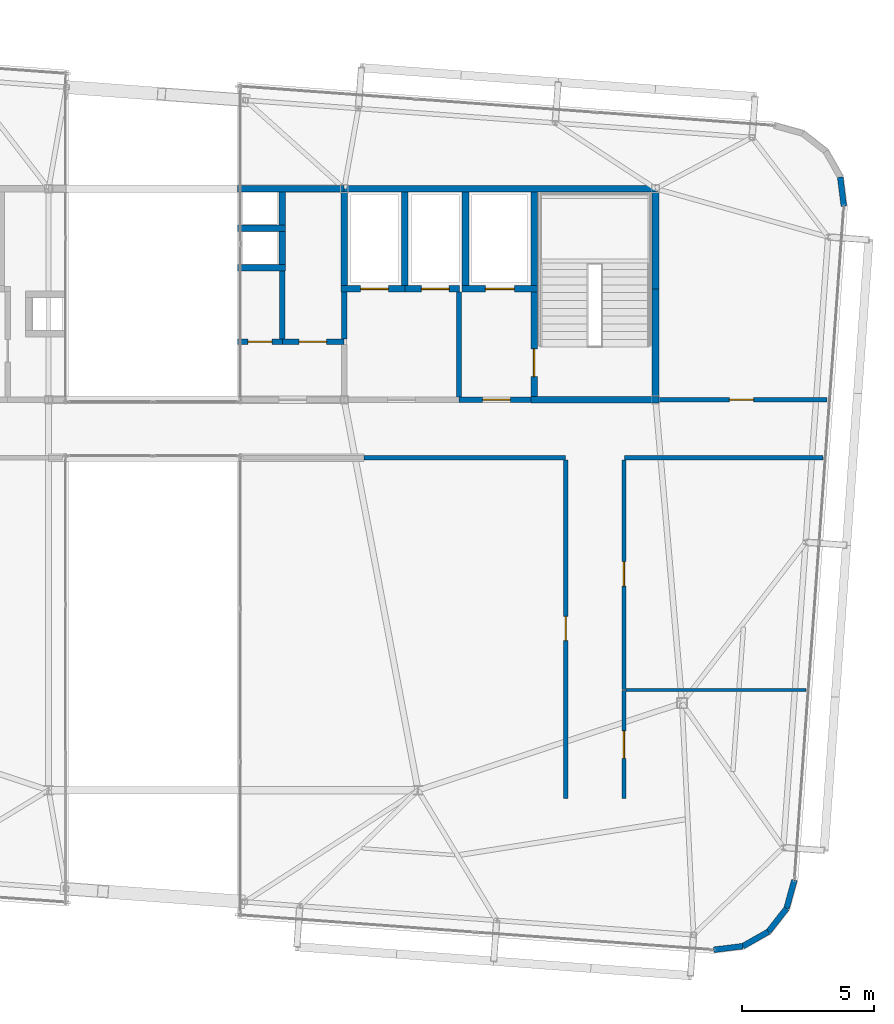
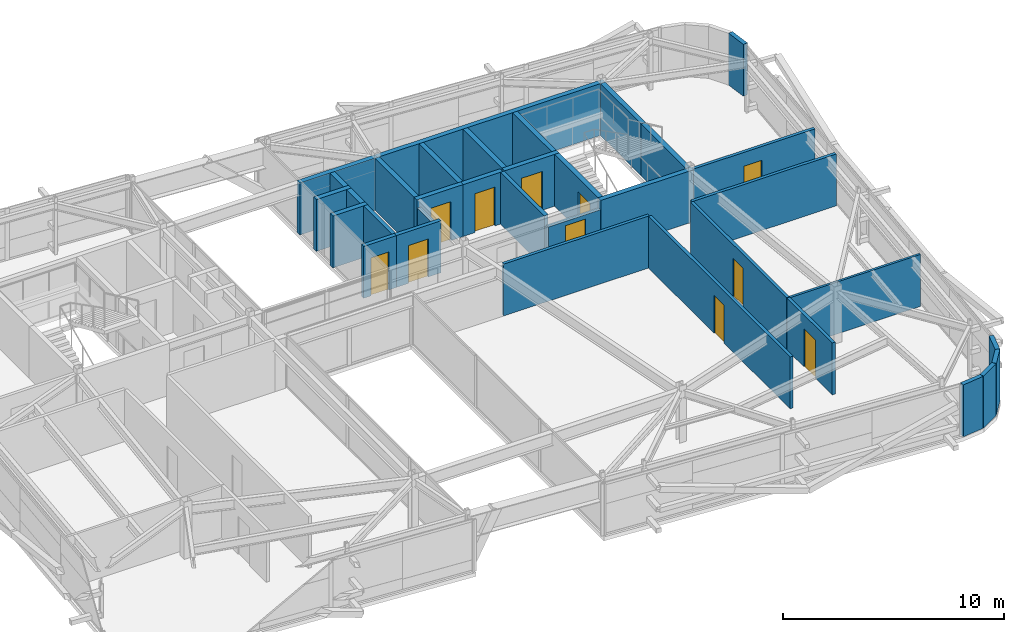
# One storey, part 37 of 40: 35 walls, 11 doors, 11 openings.
"""IFC4 building model written with IfcOpenShell, lengths in metres."""

from ifc_helpers import new_model, si_unit, direction, frame, frame_2d, origin, place, context, subcontext, project, spatial, rectangle, extrude, source, transform, mapped, material, layer, layer_set, type_object, element, fill, save


model = new_model("IFC4")

# Units and contexts
model_context = context("Model", 3, precision=1e-05, world=origin(), true_north=direction((0.0, 1.0)))
body_context = subcontext(model_context, "Body", "Model", "MODEL_VIEW")
ifc_project = project(units=[si_unit("LENGTHUNIT", "METRE"), si_unit("AREAUNIT", "SQUARE_METRE"), si_unit("VOLUMEUNIT", "CUBIC_METRE"), si_unit("PLANEANGLEUNIT", "RADIAN"), si_unit("MASSUNIT", "GRAM", prefix="KILO")], contexts=[model_context])

# Site, building, storey
site_placement = place(None, origin())
site = spatial("IfcSite", under=ifc_project, at=site_placement, CompositionType="ELEMENT")
building_placement = place(site_placement, origin())
building = spatial("IfcBuilding", under=site, at=building_placement, Name="Taldren Reach Tower", CompositionType="ELEMENT")
storey_placement = place(building_placement, frame((0.0, 0.0, 233.449951171875)))
storey = spatial("IfcBuildingStorey", under=building, at=storey_placement, Name="L71", CompositionType="ELEMENT", Elevation=233.449951171875)

# Walls
ifc_material_1 = material(Name="Pale Champagne Anodised Aluminium Cladding", Category="aluminium")
ifc_layer_1 = layer(ifc_material_1, 0.04, Name="Pale Champagne Anodised Aluminium Cladding", Category="aluminium")
ifc_material_2 = material(Name="Mineral Wool Acoustic Insulation", Category="insulation")
ifc_layer_2 = layer(ifc_material_2, 0.06, Name="Mineral Wool Acoustic Insulation", Category="insulation")
ifc_material_3 = material(Name="Steel Gr 350 (C350L0)", Category="steel")
ifc_layer_3 = layer(ifc_material_3, 0.12, Name="Steel Gr 350 (C350L0)", Category="steel")
ifc_layer_set_1 = layer_set([ifc_layer_1, ifc_layer_2, ifc_layer_3], Name="Pale Champagne Aluminium Cladding and Steel Gr 350 Stud Framing")
wall_type_1 = type_object("IfcWallType", Name="EW-CRN-220", PredefinedType="SOLIDWALL", material=ifc_layer_set_1)
shared_shape_1 = source(origin(), body_context, "Body", "SweptSolid", [
    extrude(rectangle(XDim=1.115966796875, YDim=0.219970703125, at=frame_2d((0.55810546875, 0.0))), origin(), (0.0, 0.0, 1.0), 2.8701171875),
])
for number, where, z_axis, x_axis, name in (
    (1, (53.20068359375, 3.15380859375, 0.0), (0.0, 0.0, 1.0), (0.992438604032, 0.122742076028, 0.0), "Rounded-corner pale-metal facade wall L71-SE1"),
    (2, (55.279052734375, 3.84130859375, 0.0), (0.0, 0.0, 1.0), (0.615015475096, 0.788515038152, 0.0), "Rounded-corner pale-metal facade wall L71-SE3"),
    (3, (55.96533203125, 4.72119140625, 0.0), (0.0, 0.0, 1.0), (0.26624444942, 0.963905541613, 0.0), "Rounded-corner pale-metal facade wall L71-SE4"),
    (4, (58.137451171875, 31.328125, 0.0), (0.0, 0.0, 1.0), (-0.122742076028, 0.992438604032, 0.0), "Rounded-corner pale-metal facade wall L71-NE1"),
):
    element("IfcWall", number, at=place(storey_placement, frame(where, z_axis=z_axis, x_axis=x_axis)), inside=storey, type_object=wall_type_1, Name=name, PredefinedType="SOLIDWALL", context=body_context, shape_type="MappedRepresentation", body=[
        mapped(shared_shape_1, transform((0.0, 0.0, 0.0), scale=1.0)),
    ])
shared_shape_2 = source(origin(), body_context, "Body", "SweptSolid", [
    extrude(rectangle(XDim=1.1162109375, YDim=0.219970703125, at=frame_2d((0.55810546875, 0.0))), origin(), (0.0, 0.0, 1.0), 2.8701171875),
])
wall_1_placement = place(storey_placement, frame((54.30810546875, 3.290771484375, 0.0), z_axis=(0.0, 0.0, 1.0), x_axis=(0.869893934693, 0.49323882895, 0.0)))
element("IfcWall", 5, at=wall_1_placement, inside=storey, type_object=wall_type_1, Name="Rounded-corner pale-metal facade wall L71-SE2", PredefinedType="SOLIDWALL", context=body_context, shape_type="MappedRepresentation", body=[
    mapped(shared_shape_2, transform((0.0, 0.0, 0.0), scale=1.0)),
])
ifc_material_4 = material(Name="Concrete S65 (65 MPa)", Category="concrete")
ifc_layer_4 = layer(ifc_material_4, 0.25)
ifc_layer_set_2 = layer_set([ifc_layer_4], Name="Concrete S65 (65 MPa)")
wall_type_2 = type_object("IfcWallType", Name="IW-CORE-250", PredefinedType="SHEAR", material=ifc_layer_set_2)
shared_shape_3 = source(origin(), body_context, "Body", "SweptSolid", [
    extrude(rectangle(XDim=4.050048828125, YDim=0.25, at=frame_2d((2.02490234375, 0.0))), origin(), (0.0, 0.0, 1.0), 2.8701171875),
])
wall_2_placement = place(storey_placement, frame((35.14990234375, 32.0, 0.0), z_axis=(0.0, 0.0, 1.0), x_axis=(1.0, 0.0, 0.0)))
element("IfcWall", 6, at=wall_2_placement, inside=storey, type_object=wall_type_2, Name="Rear Core Shear Wall W-CORE-L71-NORTH3", PredefinedType="SHEAR", context=body_context, shape_type="MappedRepresentation", body=[
    mapped(shared_shape_3, transform((0.0, 0.0, 0.0), scale=1.0)),
])
shared_shape_4 = source(origin(), body_context, "Body", "SweptSolid", [
    extrude(rectangle(XDim=11.925048828125, YDim=0.25, at=frame_2d((5.96240234375, 0.0))), origin(), (0.0, 0.0, 1.0), 2.8701171875),
])
wall_3_placement = place(storey_placement, frame((39.199951171875, 32.0, 0.0), z_axis=(0.0, 0.0, 1.0), x_axis=(1.0, 0.0, 0.0)))
element("IfcWall", 7, at=wall_3_placement, inside=storey, type_object=wall_type_2, Name="Rear Core Shear Wall W-CORE-L71-NORTH4", PredefinedType="SHEAR", context=body_context, shape_type="MappedRepresentation", body=[
    mapped(shared_shape_4, transform((0.0, 0.0, 0.0), scale=1.0)),
])
shared_shape_5 = source(origin(), body_context, "Body", "SweptSolid", [
    extrude(rectangle(XDim=4.074951171875, YDim=0.25, at=frame_2d((2.03759765625, 0.0))), origin(), (0.0, 0.0, 1.0), 2.8701171875),
])
wall_4_placement = place(storey_placement, frame((51.0, 24.125, 0.0), z_axis=(0.0, 0.0, 1.0), x_axis=(0.0, 1.0, 0.0)))
element("IfcWall", 8, at=wall_4_placement, inside=storey, type_object=wall_type_2, Name="Rear Core Shear Wall W-CORE-L71-EAST1", PredefinedType="SHEAR", context=body_context, shape_type="MappedRepresentation", body=[
    mapped(shared_shape_5, transform((0.0, 0.0, 0.0), scale=1.0)),
])
shared_shape_6 = source(origin(), body_context, "Body", "SweptSolid", [
    extrude(rectangle(XDim=3.675048828125, YDim=0.25, at=frame_2d((1.83740234375, 0.0))), origin(), (0.0, 0.0, 1.0), 2.8701171875),
])
wall_5_placement = place(storey_placement, frame((51.0, 28.199951171875, 0.0), z_axis=(0.0, 0.0, 1.0), x_axis=(0.0, 1.0, 0.0)))
element("IfcWall", 9, at=wall_5_placement, inside=storey, type_object=wall_type_2, Name="Rear Core Shear Wall W-CORE-L71-EAST2", PredefinedType="SHEAR", context=body_context, shape_type="MappedRepresentation", body=[
    mapped(shared_shape_6, transform((0.0, 0.0, 0.0), scale=1.0)),
])
shared_shape_7 = source(origin(), body_context, "Body", "SweptSolid", [
    extrude(rectangle(XDim=3.550048828125, YDim=0.25, at=frame_2d((1.77490234375, 0.0))), origin(), (0.0, 0.0, 1.0), 2.8701171875),
])
for number, where, z_axis, x_axis, name in (
    (10, (46.39990234375, 31.875, 0.0), (0.0, 0.0, 1.0), (0.0, -1.0, 0.0), "Rear Core Shear Wall W-INT-L71-008"),
    (11, (43.800048828125, 31.875, 0.0), (0.0, 0.0, 1.0), (0.0, -1.0, 0.0), "Rear Core Shear Wall W-INT-L71-012"),
    (12, (41.5, 28.324951171875, 0.0), (0.0, 0.0, 1.0), (0.0, 1.0, 0.0), "Rear Core Shear Wall W-INT-L71-022"),
    (13, (39.199951171875, 31.875, 0.0), (0.0, 0.0, 1.0), (0.0, -1.0, 0.0), "Rear Core Shear Wall W-INT-L71-024"),
):
    element("IfcWall", number, at=place(storey_placement, frame(where, z_axis=z_axis, x_axis=x_axis)), inside=storey, type_object=wall_type_2, Name=name, PredefinedType="SHEAR", context=body_context, shape_type="MappedRepresentation", body=[
        mapped(shared_shape_7, transform((0.0, 0.0, 0.0), scale=1.0)),
    ])

# Wall, opening, door
shared_shape_8 = source(origin(), body_context, "Body", "SweptSolid", [
    extrude(rectangle(XDim=3.949951171875, YDim=0.25, at=frame_2d((1.97509765625, 0.0))), origin(), (0.0, 0.0, 1.0), 2.8701171875),
])
wall_6_placement = place(storey_placement, frame((46.39990234375, 28.074951171875, 0.0), z_axis=(0.0, 0.0, 1.0), x_axis=(0.0, -1.0, 0.0)))
wall_6 = element("IfcWall", 14, at=wall_6_placement, inside=storey, type_object=wall_type_2, Name="Rear Core Shear Wall W-INT-L71-009", PredefinedType="SHEAR", context=body_context, shape_type="MappedRepresentation", body=[
    mapped(shared_shape_8, transform((0.0, 0.0, 0.0), scale=1.0)),
])
shared_shape_9 = source(origin(), body_context, "Body", "SweptSolid", [
    extrude(rectangle(XDim=1.050048828125, YDim=2.10009765625, at=frame_2d((0.52490234375, 1.050048828125))), frame((0.0, 0.135009765625, 0.0), z_axis=(0.0, -1.0, 0.0), x_axis=(1.0, 0.0, 0.0)), (0.0, 0.0, 1.0), 0.27001953125),
])
opening_1_placement = place(wall_6_placement, frame((2.14990234375, 0.0, 0.0)))
opening_1 = element("IfcOpeningElement", 15, at=opening_1_placement, cuts=wall_6, Name="Opening DF-105", PredefinedType="OPENING", context=body_context, shape_type="MappedRepresentation", body=[
    mapped(shared_shape_9, transform((0.0, 0.0, 0.0), scale=1.0)),
])
ifc_material_5 = material(Name="Fire-Rated Care and Stair Exit Door")
door_type_1 = type_object("IfcDoorType", Name="ID-FIRE-105", OperationType="NOTDEFINED", PredefinedType="DOOR", material=ifc_material_5)
shared_shape_10 = source(origin(), body_context, "Body", "SweptSolid", [
    extrude(rectangle(XDim=1.050048828125, YDim=2.10009765625, at=frame_2d((0.52490234375, 1.050048828125))), frame((0.0, 0.02490234375, 0.0), z_axis=(0.0, -1.0, 0.0), x_axis=(1.0, 0.0, 0.0)), (0.0, 0.0, 1.0), 0.050048828125),
])
door_1_placement = place(opening_1_placement, origin())
door_1 = element("IfcDoor", 16, at=door_1_placement, inside=storey, type_object=door_type_1, Name="Fire Exit Stair Door DR-L71-003", OperationType="SINGLE_SWING_RIGHT", OverallHeight=2.10009765625, OverallWidth=1.050048828125, PredefinedType="DOOR", context=body_context, shape_type="MappedRepresentation", body=[
    mapped(shared_shape_10, transform((0.0, 0.0, 0.0), scale=1.0)),
])
fill(opening_1, door_1)

# Wall
shared_shape_11 = source(origin(), body_context, "Body", "SweptSolid", [
    extrude(rectangle(XDim=4.85009765625, YDim=0.25, at=frame_2d((2.425048828125, 0.0))), origin(), (0.0, 0.0, 1.0), 2.8701171875),
])
wall_7_placement = place(storey_placement, frame((46.27490234375, 24.0, 0.0), z_axis=(0.0, 0.0, 1.0), x_axis=(1.0, 0.0, 0.0)))
element("IfcWall", 17, at=wall_7_placement, inside=storey, type_object=wall_type_2, Name="Rear Core Shear Wall W-INT-L71-010", PredefinedType="SHEAR", context=body_context, shape_type="MappedRepresentation", body=[
    mapped(shared_shape_11, transform((0.0, 0.0, 0.0), scale=1.0)),
])

# Wall, opening, door
shared_shape_12 = source(origin(), body_context, "Body", "SweptSolid", [
    extrude(rectangle(XDim=2.849853515625, YDim=0.25, at=frame_2d((1.4248046875, 0.0))), origin(), (0.0, 0.0, 1.0), 2.8701171875),
])
wall_8_placement = place(storey_placement, frame((43.675048828125, 28.199951171875, 0.0), z_axis=(0.0, 0.0, 1.0), x_axis=(1.0, 0.0, 0.0)))
wall_8 = element("IfcWall", 18, at=wall_8_placement, inside=storey, type_object=wall_type_2, Name="Rear Core Shear Wall W-INT-L71-011", PredefinedType="SHEAR", context=body_context, shape_type="MappedRepresentation", body=[
    mapped(shared_shape_12, transform((0.0, 0.0, 0.0), scale=1.0)),
])
shared_shape_13 = source(origin(), body_context, "Body", "SweptSolid", [
    extrude(rectangle(XDim=1.10009765625, YDim=2.14990234375, at=frame_2d((0.550048828125, 1.074951171875))), frame((0.0, 0.135009765625, 0.0), z_axis=(0.0, -1.0, 0.0), x_axis=(1.0, 0.0, 0.0)), (0.0, 0.0, 1.0), 0.27001953125),
])
opening_2_placement = place(wall_8_placement, frame((0.875, 0.0, 0.0)))
opening_2 = element("IfcOpeningElement", 19, at=opening_2_placement, cuts=wall_8, Name="Opening LD-FL2", PredefinedType="OPENING", context=body_context, shape_type="MappedRepresentation", body=[
    mapped(shared_shape_13, transform((0.0, 0.0, 0.0), scale=1.0)),
])
ifc_material_6 = material(Name="Stainless Steel Gr 316 Emergency Lift Landing Door", Category="steel")
door_type_2 = type_object("IfcDoorType", Name="LD-EMG-110", OperationType="SLIDING_TO_LEFT", PredefinedType="DOOR", material=ifc_material_6)
shared_shape_14 = source(origin(), body_context, "Body", "SweptSolid", [
    extrude(rectangle(XDim=1.10009765625, YDim=2.14990234375, at=frame_2d((0.550048828125, 1.074951171875))), frame((0.0, 0.02490234375, 0.0), z_axis=(0.0, -1.0, 0.0), x_axis=(1.0, 0.0, 0.0)), (0.0, 0.0, 1.0), 0.050048828125),
])
door_2_placement = place(opening_2_placement, origin())
door_2 = element("IfcDoor", 20, at=door_2_placement, inside=storey, type_object=door_type_2, Name="Lift Landing Door LD-FL2-L71", OperationType="SLIDING_TO_LEFT", OverallHeight=2.14990234375, OverallWidth=1.10009765625, PredefinedType="DOOR", context=body_context, shape_type="MappedRepresentation", body=[
    mapped(shared_shape_14, transform((0.0, 0.0, 0.0), scale=1.0)),
])
fill(opening_2, door_2)

# Wall
ifc_material_7 = material(Name="Concrete S50 (50 MPa)", Category="concrete")
ifc_layer_5 = layer(ifc_material_7, 0.199951171875)
ifc_layer_set_3 = layer_set([ifc_layer_5], Name="Concrete S50 (50 MPa)")
wall_type_3 = type_object("IfcWallType", Name="IW-CORE-200", PredefinedType="SOLIDWALL", material=ifc_layer_set_3)
shared_shape_15 = source(origin(), body_context, "Body", "SweptSolid", [
    extrude(rectangle(XDim=3.974853515625, YDim=0.199951171875, at=frame_2d((1.9873046875, 0.0))), origin(), (0.0, 0.0, 1.0), 2.8701171875),
])
wall_9_placement = place(storey_placement, frame((43.550048828125, 28.074951171875, 0.0), z_axis=(0.0, 0.0, 1.0), x_axis=(0.0, -1.0, 0.0)))
element("IfcWall", 21, at=wall_9_placement, inside=storey, type_object=wall_type_3, Name="Rear Core Shear Wall W-INT-L71-013", PredefinedType="SOLIDWALL", context=body_context, shape_type="MappedRepresentation", body=[
    mapped(shared_shape_15, transform((0.0, 0.0, 0.0), scale=1.0)),
])

# Wall, opening, door
shared_shape_16 = source(origin(), body_context, "Body", "SweptSolid", [
    extrude(rectangle(XDim=2.724853515625, YDim=0.199951171875, at=frame_2d((1.3623046875, 0.0))), origin(), (0.0, 0.0, 1.0), 2.337158203125),
])
wall_10_placement = place(storey_placement, frame((43.550048828125, 24.0, 0.0), z_axis=(0.0, 0.0, 1.0), x_axis=(1.0, 0.0, 0.0)))
wall_10 = element("IfcWall", 22, at=wall_10_placement, inside=storey, type_object=wall_type_3, Name="Rear Core Shear Wall W-INT-L71-014", PredefinedType="SOLIDWALL", context=body_context, shape_type="MappedRepresentation", body=[
    mapped(shared_shape_16, transform((0.0, 0.0, 0.0), scale=1.0)),
])
shared_shape_17 = source(origin(), body_context, "Body", "SweptSolid", [
    extrude(rectangle(XDim=1.050048828125, YDim=2.10009765625, at=frame_2d((0.52490234375, 1.050048828125))), frame((0.0, 0.10986328125, 0.0), z_axis=(0.0, -1.0, 0.0), x_axis=(1.0, 0.0, 0.0)), (0.0, 0.0, 1.0), 0.219970703125),
])
opening_3_placement = place(wall_10_placement, frame((0.89990234375, 0.0, 0.0)))
opening_3 = element("IfcOpeningElement", 23, at=opening_3_placement, cuts=wall_10, Name="Opening DF-105", PredefinedType="OPENING", context=body_context, shape_type="MappedRepresentation", body=[
    mapped(shared_shape_17, transform((0.0, 0.0, 0.0), scale=1.0)),
])
door_3_placement = place(opening_3_placement, origin())
door_3 = element("IfcDoor", 24, at=door_3_placement, inside=storey, type_object=door_type_1, Name="Interior Door DR-L71-004", OperationType="SINGLE_SWING_LEFT", OverallHeight=2.10009765625, OverallWidth=1.050048828125, PredefinedType="DOOR", context=body_context, shape_type="MappedRepresentation", body=[
    mapped(shared_shape_10, transform((0.0, 0.0, 0.0), scale=1.0)),
])
fill(opening_3, door_3)

# Walls
shared_shape_18 = source(origin(), body_context, "Body", "SweptSolid", [
    extrude(rectangle(XDim=1.8251953125, YDim=0.25, at=frame_2d((0.91259765625, 0.0))), origin(), (0.0, 0.0, 1.0), 2.8701171875),
])
for number, where, z_axis, x_axis, name in (
    (25, (35.14990234375, 30.5, 0.0), (0.0, 0.0, 1.0), (1.0, 0.0, 0.0), "Rear Core Shear Wall W-INT-L71-015"),
    (26, (35.14990234375, 29.0, 0.0), (0.0, 0.0, 1.0), (1.0, 0.0, 0.0), "Rear Core Shear Wall W-INT-L71-017"),
):
    element("IfcWall", number, at=place(storey_placement, frame(where, z_axis=z_axis, x_axis=x_axis)), inside=storey, type_object=wall_type_2, Name=name, PredefinedType="SHEAR", context=body_context, shape_type="MappedRepresentation", body=[
        mapped(shared_shape_18, transform((0.0, 0.0, 0.0), scale=1.0)),
    ])
shared_shape_19 = source(origin(), body_context, "Body", "SweptSolid", [
    extrude(rectangle(XDim=1.25, YDim=0.25, at=frame_2d((0.625, 0.0))), origin(), (0.0, 0.0, 1.0), 2.8701171875),
])
for number, where, z_axis, x_axis, name in (
    (27, (36.85009765625, 30.625, 0.0), (0.0, 0.0, 1.0), (0.0, 1.0, 0.0), "Rear Core Shear Wall W-INT-L71-016"),
    (28, (36.85009765625, 29.125, 0.0), (0.0, 0.0, 1.0), (0.0, 1.0, 0.0), "Rear Core Shear Wall W-INT-L71-018"),
):
    element("IfcWall", number, at=place(storey_placement, frame(where, z_axis=z_axis, x_axis=x_axis)), inside=storey, type_object=wall_type_2, Name=name, PredefinedType="SHEAR", context=body_context, shape_type="MappedRepresentation", body=[
        mapped(shared_shape_19, transform((0.0, 0.0, 0.0), scale=1.0)),
    ])

# Wall, opening, door
shared_shape_20 = source(origin(), body_context, "Body", "SweptSolid", [
    extrude(rectangle(XDim=2.425048828125, YDim=0.25, at=frame_2d((1.21240234375, 0.0))), origin(), (0.0, 0.0, 1.0), 2.8701171875),
])
wall_11_placement = place(storey_placement, frame((39.074951171875, 28.199951171875, 0.0), z_axis=(0.0, 0.0, 1.0), x_axis=(1.0, 0.0, 0.0)))
wall_11 = element("IfcWall", 29, at=wall_11_placement, inside=storey, type_object=wall_type_2, Name="Rear Core Shear Wall W-INT-L71-023", PredefinedType="SHEAR", context=body_context, shape_type="MappedRepresentation", body=[
    mapped(shared_shape_20, transform((0.0, 0.0, 0.0), scale=1.0)),
])
shared_shape_21 = source(origin(), body_context, "Body", "SweptSolid", [
    extrude(rectangle(XDim=1.050048828125, YDim=2.14990234375, at=frame_2d((0.52490234375, 1.074951171875))), frame((0.0, 0.135009765625, 0.0), z_axis=(0.0, -1.0, 0.0), x_axis=(1.0, 0.0, 0.0)), (0.0, 0.0, 1.0), 0.27001953125),
])
opening_4_placement = place(wall_11_placement, frame((0.75, 0.0, 0.0)))
opening_4 = element("IfcOpeningElement", 30, at=opening_4_placement, cuts=wall_11, Name="Opening LD-PH1", PredefinedType="OPENING", context=body_context, shape_type="MappedRepresentation", body=[
    mapped(shared_shape_21, transform((0.0, 0.0, 0.0), scale=1.0)),
])
ifc_material_8 = material(Name="Stainless Steel Gr 316 Passenger Lift Landing Door", Category="steel")
door_type_3 = type_object("IfcDoorType", Name="LD-PAS-105", OperationType="SLIDING_TO_LEFT", PredefinedType="DOOR", material=ifc_material_8)
shared_shape_22 = source(origin(), body_context, "Body", "SweptSolid", [
    extrude(rectangle(XDim=1.050048828125, YDim=2.14990234375, at=frame_2d((0.52490234375, 1.074951171875))), frame((0.0, 0.02490234375, 0.0), z_axis=(0.0, -1.0, 0.0), x_axis=(1.0, 0.0, 0.0)), (0.0, 0.0, 1.0), 0.050048828125),
])
door_4_placement = place(opening_4_placement, origin())
door_4 = element("IfcDoor", 31, at=door_4_placement, inside=storey, type_object=door_type_3, Name="Lift Landing Door LD-PH1-L71", OperationType="SLIDING_TO_LEFT", OverallHeight=2.14990234375, OverallWidth=1.050048828125, PredefinedType="DOOR", context=body_context, shape_type="MappedRepresentation", body=[
    mapped(shared_shape_22, transform((0.0, 0.0, 0.0), scale=1.0)),
])
fill(opening_4, door_4)

shared_shape_23 = source(origin(), body_context, "Body", "SweptSolid", [
    extrude(rectangle(XDim=2.070068359375, YDim=0.25, at=frame_2d((1.03515625, 0.0))), origin(), (0.0, 0.0, 1.0), 2.8701171875),
])
wall_12_placement = place(storey_placement, frame((41.5, 28.199951171875, 0.0), z_axis=(0.0, 0.0, 1.0), x_axis=(1.0, 0.0, 0.0)))
wall_12 = element("IfcWall", 32, at=wall_12_placement, inside=storey, type_object=wall_type_2, Name="Rear Core Shear Wall W-INT-L71-025", PredefinedType="SHEAR", context=body_context, shape_type="MappedRepresentation", body=[
    mapped(shared_shape_23, transform((0.0, 0.0, 0.0), scale=1.0)),
])
opening_5_placement = place(wall_12_placement, frame((0.625, 0.0, 0.0)))
opening_5 = element("IfcOpeningElement", 33, at=opening_5_placement, cuts=wall_12, Name="Opening LD-PH2", PredefinedType="OPENING", context=body_context, shape_type="MappedRepresentation", body=[
    mapped(shared_shape_21, transform((0.0, 0.0, 0.0), scale=1.0)),
])
door_5_placement = place(opening_5_placement, origin())
door_5 = element("IfcDoor", 34, at=door_5_placement, inside=storey, type_object=door_type_3, Name="Lift Landing Door LD-PH2-L71", OperationType="SLIDING_TO_LEFT", OverallHeight=2.14990234375, OverallWidth=1.050048828125, PredefinedType="DOOR", context=body_context, shape_type="MappedRepresentation", body=[
    mapped(shared_shape_22, transform((0.0, 0.0, 0.0), scale=1.0)),
])
fill(opening_5, door_5)

# Wall
shared_shape_24 = source(origin(), body_context, "Body", "SweptSolid", [
    extrude(rectangle(XDim=1.77490234375, YDim=0.199951171875, at=frame_2d((0.887451171875, 0.0))), origin(), (0.0, 0.0, 1.0), 2.41015625),
])
wall_13_placement = place(storey_placement, frame((39.199951171875, 26.300048828125, 0.0), z_axis=(0.0, 0.0, 1.0), x_axis=(0.0, 1.0, 0.0)))
element("IfcWall", 35, at=wall_13_placement, inside=storey, type_object=wall_type_3, Name="Rear Core Shear Wall W-INT-L71-027", PredefinedType="SOLIDWALL", context=body_context, shape_type="MappedRepresentation", body=[
    mapped(shared_shape_24, transform((0.0, 0.0, 0.0), scale=1.0)),
])

# Wall, opening, door
shared_shape_25 = source(origin(), body_context, "Body", "SweptSolid", [
    extrude(rectangle(XDim=1.72021484375, YDim=0.199951171875, at=frame_2d((0.860107421875, 0.0))), origin(), (0.0, 0.0, 1.0), 2.8701171875),
])
wall_14_placement = place(storey_placement, frame((35.14990234375, 26.199951171875, 0.0), z_axis=(0.0, 0.0, 1.0), x_axis=(1.0, 0.0, 0.0)))
wall_14 = element("IfcWall", 36, at=wall_14_placement, inside=storey, type_object=wall_type_3, Name="Rear Core Shear Wall W-INT-L71-030", PredefinedType="SOLIDWALL", context=body_context, shape_type="MappedRepresentation", body=[
    mapped(shared_shape_25, transform((0.0, 0.0, 0.0), scale=1.0)),
])
shared_shape_26 = source(origin(), body_context, "Body", "SweptSolid", [
    extrude(rectangle(XDim=0.919921875, YDim=2.10009765625, at=frame_2d((0.4599609375, 1.050048828125))), frame((0.0, 0.10986328125, 0.0), z_axis=(0.0, -1.0, 0.0), x_axis=(1.0, 0.0, 0.0)), (0.0, 0.0, 1.0), 0.219970703125),
])
opening_6_placement = place(wall_14_placement, frame((0.39990234375, 0.0, 0.0)))
opening_6 = element("IfcOpeningElement", 37, at=opening_6_placement, cuts=wall_14, Name="Opening DF-092", PredefinedType="OPENING", context=body_context, shape_type="MappedRepresentation", body=[
    mapped(shared_shape_26, transform((0.0, 0.0, 0.0), scale=1.0)),
])
ifc_material_9 = material(Name="Fire-Rated Apartment Entrance Door")
door_type_4 = type_object("IfcDoorType", Name="ID-FIRE-092", OperationType="NOTDEFINED", PredefinedType="DOOR", material=ifc_material_9)
shared_shape_27 = source(origin(), body_context, "Body", "SweptSolid", [
    extrude(rectangle(XDim=0.919921875, YDim=2.10009765625, at=frame_2d((0.4599609375, 1.050048828125))), frame((0.0, 0.02490234375, 0.0), z_axis=(0.0, -1.0, 0.0), x_axis=(1.0, 0.0, 0.0)), (0.0, 0.0, 1.0), 0.050048828125),
])
door_6_placement = place(opening_6_placement, origin())
door_6 = element("IfcDoor", 38, at=door_6_placement, inside=storey, type_object=door_type_4, Name="Interior Door DR-L71-006", OperationType="SINGLE_SWING_LEFT", OverallHeight=2.10009765625, OverallWidth=0.919921875, PredefinedType="DOOR", context=body_context, shape_type="MappedRepresentation", body=[
    mapped(shared_shape_27, transform((0.0, 0.0, 0.0), scale=1.0)),
])
fill(opening_6, door_6)

shared_shape_28 = source(origin(), body_context, "Body", "SweptSolid", [
    extrude(rectangle(XDim=2.369873046875, YDim=0.199951171875, at=frame_2d((1.18505859375, 0.0))), origin(), (0.0, 0.0, 1.0), 2.8701171875),
])
wall_15_placement = place(storey_placement, frame((36.830078125, 26.199951171875, 0.0), z_axis=(0.0, 0.0, 1.0), x_axis=(1.0, 0.0, 0.0)))
wall_15 = element("IfcWall", 39, at=wall_15_placement, inside=storey, type_object=wall_type_3, Name="Rear Core Shear Wall W-INT-L71-031", PredefinedType="SOLIDWALL", context=body_context, shape_type="MappedRepresentation", body=[
    mapped(shared_shape_28, transform((0.0, 0.0, 0.0), scale=1.0)),
])
opening_7_placement = place(wall_15_placement, frame((0.659912109375, 0.0, 0.0)))
opening_7 = element("IfcOpeningElement", 40, at=opening_7_placement, cuts=wall_15, Name="Opening DF-105", PredefinedType="OPENING", context=body_context, shape_type="MappedRepresentation", body=[
    mapped(shared_shape_17, transform((0.0, 0.0, 0.0), scale=1.0)),
])
door_7_placement = place(opening_7_placement, origin())
door_7 = element("IfcDoor", 41, at=door_7_placement, inside=storey, type_object=door_type_1, Name="Interior Door DR-L71-007", OperationType="SINGLE_SWING_RIGHT", OverallHeight=2.10009765625, OverallWidth=1.050048828125, PredefinedType="DOOR", context=body_context, shape_type="MappedRepresentation", body=[
    mapped(shared_shape_10, transform((0.0, 0.0, 0.0), scale=1.0)),
])
fill(opening_7, door_7)

# Wall
shared_shape_29 = source(origin(), body_context, "Body", "SweptSolid", [
    extrude(rectangle(XDim=2.574951171875, YDim=0.199951171875, at=frame_2d((1.28759765625, 0.0))), origin(), (0.0, 0.0, 1.0), 2.8701171875),
])
wall_16_placement = place(storey_placement, frame((36.85009765625, 28.875, 0.0), z_axis=(0.0, 0.0, 1.0), x_axis=(0.0, -1.0, 0.0)))
element("IfcWall", 42, at=wall_16_placement, inside=storey, type_object=wall_type_3, Name="Rear Core Shear Wall W-INT-L71-033", PredefinedType="SOLIDWALL", context=body_context, shape_type="MappedRepresentation", body=[
    mapped(shared_shape_29, transform((0.0, 0.0, 0.0), scale=1.0)),
])

# Wall, opening, door
ifc_material_10 = material(Name="Fire-Rated Acoustic Plasterboard Stud Wall", Category="gypsum")
ifc_layer_6 = layer(ifc_material_10, 0.159912109375)
ifc_layer_set_4 = layer_set([ifc_layer_6], Name="Fire-Rated Acoustic Plasterboard Stud Wall")
wall_type_4 = type_object("IfcWallType", Name="IW-FIRE-160", PredefinedType="PARTITIONING", material=ifc_layer_set_4)
shared_shape_30 = source(origin(), body_context, "Body", "SweptSolid", [
    extrude(rectangle(XDim=4.099853515625, YDim=0.159912109375, at=frame_2d((2.0498046875, 0.0))), origin(), (0.0, 0.0, 1.0), 2.8701171875),
])
wall_17_placement = place(storey_placement, frame((49.800048828125, 12.979736328125, 0.0), z_axis=(0.0, 0.0, 1.0), x_axis=(0.0, -1.0, 0.0)))
wall_17 = element("IfcWall", 43, at=wall_17_placement, inside=storey, type_object=wall_type_4, Name="Interior Partition Wall W-INT-L71-042", PredefinedType="PARTITIONING", context=body_context, shape_type="MappedRepresentation", body=[
    mapped(shared_shape_30, transform((0.0, 0.0, 0.0), scale=1.0)),
])
shared_shape_31 = source(origin(), body_context, "Body", "SweptSolid", [
    extrude(rectangle(XDim=1.050048828125, YDim=2.10009765625, at=frame_2d((0.52490234375, 1.050048828125))), frame((0.0, 0.08984375, 0.0), z_axis=(0.0, -1.0, 0.0), x_axis=(1.0, 0.0, 0.0)), (0.0, 0.0, 1.0), 0.179931640625),
])
opening_8_placement = place(wall_17_placement, frame((1.52490234375, 0.0, 0.0)))
opening_8 = element("IfcOpeningElement", 44, at=opening_8_placement, cuts=wall_17, Name="Opening DF-105", PredefinedType="OPENING", context=body_context, shape_type="MappedRepresentation", body=[
    mapped(shared_shape_31, transform((0.0, 0.0, 0.0), scale=1.0)),
])
door_8_placement = place(opening_8_placement, origin())
door_8 = element("IfcDoor", 45, at=door_8_placement, inside=storey, type_object=door_type_1, Name="Interior Door DR-L71-014", OperationType="SINGLE_SWING_LEFT", OverallHeight=2.10009765625, OverallWidth=1.050048828125, PredefinedType="DOOR", context=body_context, shape_type="MappedRepresentation", body=[
    mapped(shared_shape_10, transform((0.0, 0.0, 0.0), scale=1.0)),
])
fill(opening_8, door_8)

shared_shape_32 = source(origin(), body_context, "Body", "SweptSolid", [
    extrude(rectangle(XDim=8.69970703125, YDim=0.159912109375, at=frame_2d((4.349853515625, 0.0))), origin(), (0.0, 0.0, 1.0), 2.8701171875),
])
wall_18_placement = place(storey_placement, frame((49.800048828125, 21.719970703125, 0.0), z_axis=(0.0, 0.0, 1.0), x_axis=(0.0, -1.0, 0.0)))
wall_18 = element("IfcWall", 46, at=wall_18_placement, inside=storey, type_object=wall_type_4, Name="Interior Partition Wall W-INT-L71-043", PredefinedType="PARTITIONING", context=body_context, shape_type="MappedRepresentation", body=[
    mapped(shared_shape_32, transform((0.0, 0.0, 0.0), scale=1.0)),
])
shared_shape_33 = source(origin(), body_context, "Body", "SweptSolid", [
    extrude(rectangle(XDim=0.919921875, YDim=2.10009765625, at=frame_2d((0.4599609375, 1.050048828125))), frame((0.0, 0.08984375, 0.0), z_axis=(0.0, -1.0, 0.0), x_axis=(1.0, 0.0, 0.0)), (0.0, 0.0, 1.0), 0.179931640625),
])
opening_9_placement = place(wall_18_placement, frame((3.860107421875, 0.0, 0.0)))
opening_9 = element("IfcOpeningElement", 47, at=opening_9_placement, cuts=wall_18, Name="Opening DI-092", PredefinedType="OPENING", context=body_context, shape_type="MappedRepresentation", body=[
    mapped(shared_shape_33, transform((0.0, 0.0, 0.0), scale=1.0)),
])
ifc_material_11 = material(Name="Solid-Core Timber Suite Door", Category="wood")
door_type_5 = type_object("IfcDoorType", Name="ID-INT-092", OperationType="NOTDEFINED", PredefinedType="DOOR", material=ifc_material_11)
door_9_placement = place(opening_9_placement, origin())
door_9 = element("IfcDoor", 48, at=door_9_placement, inside=storey, type_object=door_type_5, Name="Interior Door DR-L71-015", OperationType="SINGLE_SWING_RIGHT", OverallHeight=2.10009765625, OverallWidth=0.919921875, PredefinedType="DOOR", context=body_context, shape_type="MappedRepresentation", body=[
    mapped(shared_shape_27, transform((0.0, 0.0, 0.0), scale=1.0)),
])
fill(opening_9, door_9)

shared_shape_34 = source(origin(), body_context, "Body", "SweptSolid", [
    extrude(rectangle(XDim=12.840087890625, YDim=0.159912109375, at=frame_2d((6.419921875, 0.0))), origin(), (0.0, 0.0, 1.0), 2.8701171875),
])
wall_19_placement = place(storey_placement, frame((47.60009765625, 8.8798828125, 0.0), z_axis=(0.0, 0.0, 1.0), x_axis=(0.0, 1.0, 0.0)))
wall_19 = element("IfcWall", 49, at=wall_19_placement, inside=storey, type_object=wall_type_4, Name="Interior Partition Wall W-INT-L71-040", PredefinedType="PARTITIONING", context=body_context, shape_type="MappedRepresentation", body=[
    mapped(shared_shape_34, transform((0.0, 0.0, 0.0), scale=1.0)),
])
opening_10_placement = place(wall_19_placement, frame((5.98974609375, 0.0, 0.0)))
opening_10 = element("IfcOpeningElement", 50, at=opening_10_placement, cuts=wall_19, Name="Opening DI-092", PredefinedType="OPENING", context=body_context, shape_type="MappedRepresentation", body=[
    mapped(shared_shape_33, transform((0.0, 0.0, 0.0), scale=1.0)),
])
door_10_placement = place(opening_10_placement, origin())
door_10 = element("IfcDoor", 51, at=door_10_placement, inside=storey, type_object=door_type_5, Name="Interior Door DR-L71-013", OperationType="SINGLE_SWING_RIGHT", OverallHeight=2.10009765625, OverallWidth=0.919921875, PredefinedType="DOOR", context=body_context, shape_type="MappedRepresentation", body=[
    mapped(shared_shape_27, transform((0.0, 0.0, 0.0), scale=1.0)),
])
fill(opening_10, door_10)

# Walls
shared_shape_35 = source(origin(), body_context, "Body", "SweptSolid", [
    extrude(rectangle(XDim=7.629638671875, YDim=0.159912109375, at=frame_2d((3.81494140625, 0.0))), origin(), (0.0, 0.0, 1.0), 2.8701171875),
])
wall_20_placement = place(storey_placement, frame((47.57958984375, 21.800048828125, 0.0), z_axis=(0.0, 0.0, 1.0), x_axis=(-1.0, 0.0, 0.0)))
element("IfcWall", 52, at=wall_20_placement, inside=storey, type_object=wall_type_4, Name="Interior Partition Wall W-INT-L71-041", PredefinedType="PARTITIONING", context=body_context, shape_type="MappedRepresentation", body=[
    mapped(shared_shape_35, transform((0.0, 0.0, 0.0), scale=1.0)),
])
shared_shape_36 = source(origin(), body_context, "Body", "SweptSolid", [
    extrude(rectangle(XDim=7.532958984375, YDim=0.159912109375, at=frame_2d((3.7666015625, 0.0))), origin(), (0.0, 0.0, 1.0), 2.8701171875),
])
wall_21_placement = place(storey_placement, frame((57.353271484375, 21.800048828125, 0.0), z_axis=(0.0, 0.0, 1.0), x_axis=(-1.0, 0.0, 0.0)))
element("IfcWall", 53, at=wall_21_placement, inside=storey, type_object=wall_type_4, Name="Interior Partition Wall W-INT-L71-044", PredefinedType="PARTITIONING", context=body_context, shape_type="MappedRepresentation", body=[
    mapped(shared_shape_36, transform((0.0, 0.0, 0.0), scale=1.0)),
])

# Wall, opening, door
shared_shape_37 = source(origin(), body_context, "Body", "SweptSolid", [
    extrude(rectangle(XDim=6.378173828125, YDim=0.159912109375, at=frame_2d((3.18896484375, 0.0))), origin(), (0.0, 0.0, 1.0), 2.8701171875),
])
wall_22_placement = place(storey_placement, frame((51.125, 24.0, 0.0), z_axis=(0.0, 0.0, 1.0), x_axis=(1.0, 0.0, 0.0)))
wall_22 = element("IfcWall", 54, at=wall_22_placement, inside=storey, type_object=wall_type_4, Name="Interior Partition Wall W-INT-L71-045", PredefinedType="PARTITIONING", context=body_context, shape_type="MappedRepresentation", body=[
    mapped(shared_shape_37, transform((0.0, 0.0, 0.0), scale=1.0)),
])
opening_11_placement = place(wall_22_placement, frame((2.6767578125, 0.0, 0.0)))
opening_11 = element("IfcOpeningElement", 55, at=opening_11_placement, cuts=wall_22, Name="Opening DI-092", PredefinedType="OPENING", context=body_context, shape_type="MappedRepresentation", body=[
    mapped(shared_shape_33, transform((0.0, 0.0, 0.0), scale=1.0)),
])
door_11_placement = place(opening_11_placement, origin())
door_11 = element("IfcDoor", 56, at=door_11_placement, inside=storey, type_object=door_type_5, Name="Interior Door DR-L71-016", OperationType="SINGLE_SWING_LEFT", OverallHeight=2.10009765625, OverallWidth=0.919921875, PredefinedType="DOOR", context=body_context, shape_type="MappedRepresentation", body=[
    mapped(shared_shape_27, transform((0.0, 0.0, 0.0), scale=1.0)),
])
fill(opening_11, door_11)

# Wall
ifc_material_12 = material(Name="Insulated Residential Stud Partition", Category="gypsum")
ifc_layer_7 = layer(ifc_material_12, 0.1201171875)
ifc_layer_set_5 = layer_set([ifc_layer_7], Name="Insulated Residential Stud Partition")
wall_type_5 = type_object("IfcWallType", Name="IW-PART-120", PredefinedType="PARTITIONING", material=ifc_layer_set_5)
shared_shape_38 = source(origin(), body_context, "Body", "SweptSolid", [
    extrude(rectangle(XDim=6.811279296875, YDim=0.1201171875, at=frame_2d((3.40576171875, 0.0))), origin(), (0.0, 0.0, 1.0), 2.8701171875),
])
wall_23_placement = place(storey_placement, frame((49.882080078125, 13.0, 0.0), z_axis=(0.0, 0.0, 1.0), x_axis=(1.0, 0.0, 0.0)))
element("IfcWall", 57, at=wall_23_placement, inside=storey, type_object=wall_type_5, Name="Interior Partition Wall W-INT-L71-047", PredefinedType="PARTITIONING", context=body_context, shape_type="MappedRepresentation", body=[
    mapped(shared_shape_38, transform((0.0, 0.0, 0.0), scale=1.0)),
])

save(model, "model.ifc")
